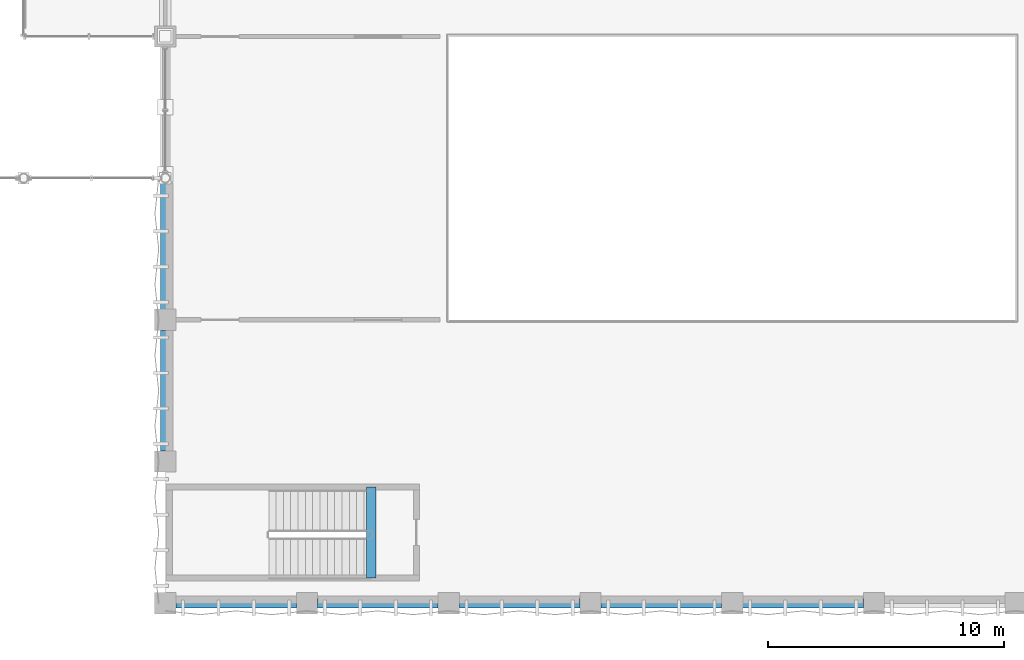
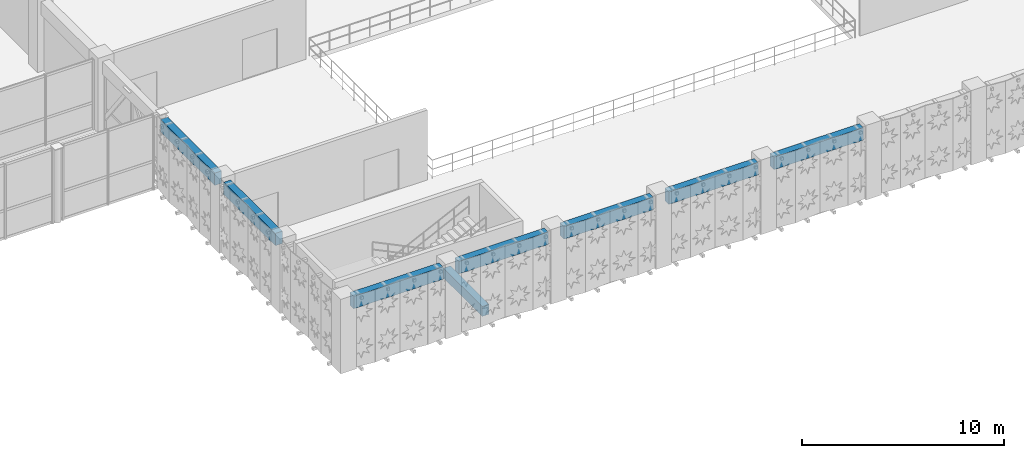
# One storey, part 25 of 133: 8 beams.
"""IFC4 building model written with IfcOpenShell, lengths in metres."""

from ifc_helpers import new_model, si_unit, direction, frame, origin, origin_2d, place, context, subcontext, project, spatial, rectangle, extrude, material, material_profile, profile_set, type_object, element, save


model = new_model("IFC4")

# Units and contexts
model_context = context("Model", 3, precision=1e-05, world=origin(), true_north=direction((0.0, 1.0)))
body_context = subcontext(model_context, "Body", "Model", "MODEL_VIEW")
ifc_project = project(units=[si_unit("LENGTHUNIT", "METRE"), si_unit("AREAUNIT", "SQUARE_METRE"), si_unit("VOLUMEUNIT", "CUBIC_METRE"), si_unit("PLANEANGLEUNIT", "RADIAN"), si_unit("MASSUNIT", "GRAM", prefix="KILO"), si_unit("THERMODYNAMICTEMPERATUREUNIT", "KELVIN"), si_unit("POWERUNIT", "WATT")], contexts=[model_context])

# Site, building, storey
site_placement = place(None, origin())
site = spatial("IfcSite", under=ifc_project, at=site_placement, CompositionType="ELEMENT")
building_placement = place(site_placement, origin())
building = spatial("IfcBuilding", under=site, at=building_placement, Name="Phaisarnlok Congress Hotel", CompositionType="ELEMENT")
storey_placement = place(building_placement, frame((0.0, 0.0, 6.0)))
storey = spatial("IfcBuildingStorey", under=building, at=storey_placement, Name="L01", CompositionType="ELEMENT", Elevation=6.0)

# Beams
ifc_material = material(Name="Concrete C40/50", Category="concrete")
ifc_material_profile_1 = material_profile(ifc_material, rectangle(XDim=0.39990234375, YDim=0.60009765625, at=origin_2d()), Name="RC 400x600")
ifc_profile_set_1 = profile_set([ifc_material_profile_1], Name="Concrete C40/50")
beam_type_1 = type_object("IfcBeamType", Name="BM-RC-400x600", PredefinedType="BEAM", material=ifc_profile_set_1)
beam_1_placement = place(storey_placement, frame((104.719970703125, 1.080078125, -0.300048828125), z_axis=(0.0, 1.0, 0.0), x_axis=(-1.0, 0.0, 0.0)))
element("IfcBeam", 1, at=beam_1_placement, inside=storey, type_object=beam_type_1, Name="Stair landing header beam B-02 (STAIR-S L01)", PredefinedType="BEAM", context=body_context, shape_type="SweptSolid", body=[
    extrude(rectangle(XDim=0.39990234375, YDim=0.60009765625, at=origin_2d()), origin(), (0.0, 0.0, 1.0), 3.83984375),
])
ifc_material_profile_2 = material_profile(ifc_material, rectangle(XDim=0.39990234375, YDim=0.75, at=origin_2d()), Name="RC 400x750")
ifc_profile_set_2 = profile_set([ifc_material_profile_2], Name="Concrete C40/50")
beam_type_2 = type_object("IfcBeamType", Name="SP-RC-400x750", PredefinedType="SPANDREL", material=ifc_profile_set_2)
for number, where, z_axis, x_axis, name in (
    (2, (96.445068359375, 0.0, 3.844970703125), (1.0, 0.0, 0.0), (0.0, 1.0, 0.0), "Beam SP-02"),
    (3, (96.0, 6.445068359375, 3.844970703125), (0.0, 1.0, 0.0), (-1.0, 0.0, 0.0), "Beam SP-02"),
):
    element("IfcBeam", number, at=place(storey_placement, frame(where, z_axis=z_axis, x_axis=x_axis)), inside=storey, type_object=beam_type_2, Name=name, PredefinedType="SPANDREL", context=body_context, shape_type="SweptSolid", body=[
        extrude(rectangle(XDim=0.39990234375, YDim=0.75, at=origin_2d()), origin(), (0.0, 0.0, 1.0), 5.10986328125),
    ])
beam_2_placement = place(storey_placement, frame((96.0, 12.445068359375, 3.844970703125), z_axis=(0.0, 1.0, 0.0), x_axis=(-1.0, 0.0, 0.0)))
element("IfcBeam", 4, at=beam_2_placement, inside=storey, type_object=beam_type_2, Name="Beam SP-02", PredefinedType="SPANDREL", context=body_context, shape_type="SweptSolid", body=[
    extrude(rectangle(XDim=0.39990234375, YDim=0.75, at=origin_2d()), origin(), (0.0, 0.0, 1.0), 5.356689453125),
])
for number, where, z_axis, x_axis, name in (
    (5, (102.445068359375, 0.0, 3.844970703125), (1.0, 0.0, 0.0), (0.0, 1.0, 0.0), "Beam SP-02"),
    (6, (108.445068359375, 0.0, 3.844970703125), (1.0, 0.0, 0.0), (0.0, 1.0, 0.0), "Beam SP-02"),
    (7, (114.445068359375, 0.0, 3.844970703125), (1.0, 0.0, 0.0), (0.0, 1.0, 0.0), "Beam SP-02"),
    (8, (120.445068359375, 0.0, 3.844970703125), (1.0, 0.0, 0.0), (0.0, 1.0, 0.0), "Beam SP-02"),
):
    element("IfcBeam", number, at=place(storey_placement, frame(where, z_axis=z_axis, x_axis=x_axis)), inside=storey, type_object=beam_type_2, Name=name, PredefinedType="SPANDREL", context=body_context, shape_type="SweptSolid", body=[
        extrude(rectangle(XDim=0.39990234375, YDim=0.75, at=origin_2d()), origin(), (0.0, 0.0, 1.0), 5.10986328125),
    ])

save(model, "model.ifc")
